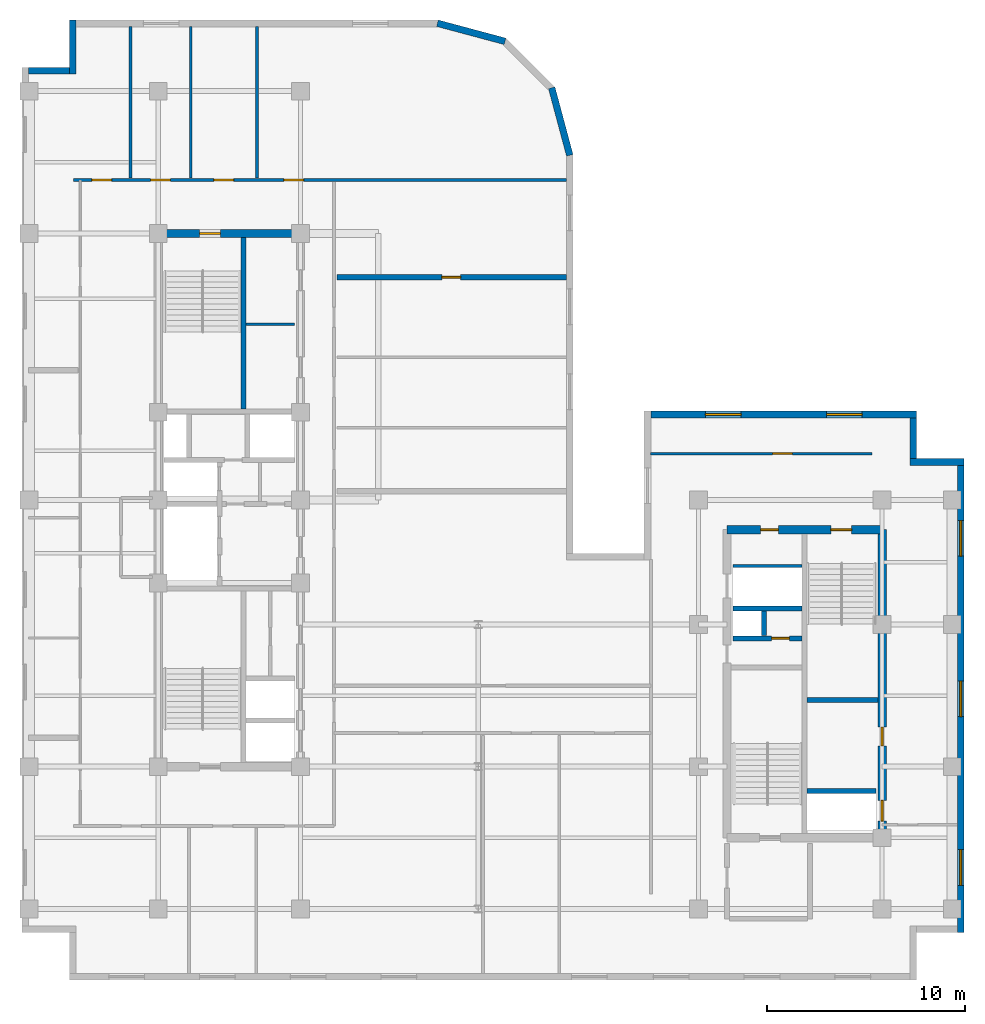
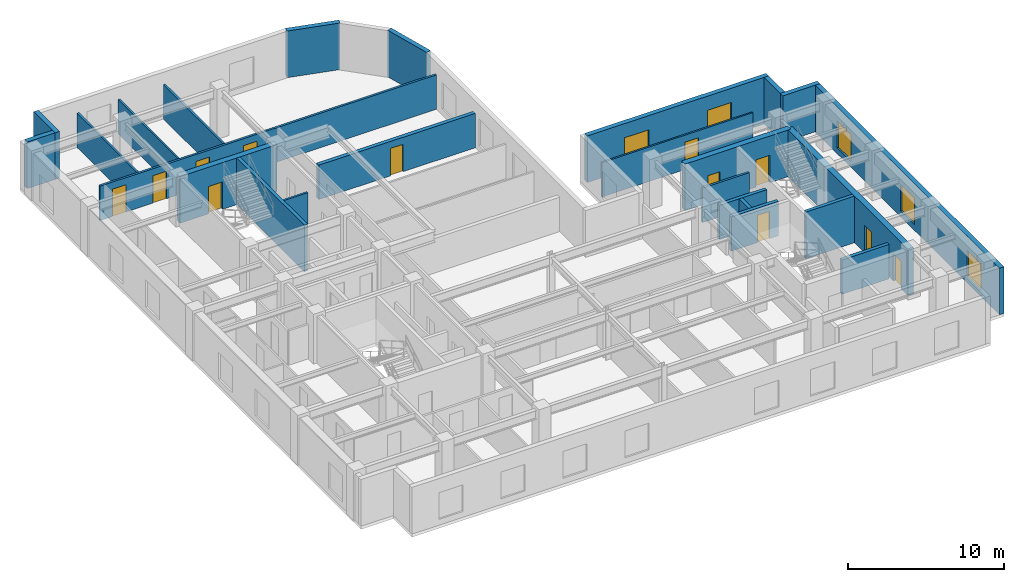
# One storey, part 6 of 10: 25 walls, 12 doors, 5 windows, 17 openings.
"""IFC4 building model written with IfcOpenShell, lengths in metres."""

from ifc_helpers import new_model, entity, si_unit, converted_unit, direction, frame, origin_with_axes, origin_2d_with_axis, place, context, subcontext, project, spatial, polyline, rectangle, outline, extrude, material, layer, layer_set, type_object, element, fill, save


model = new_model("IFC4")

# Units and contexts
model_context = context("Model", 3, precision=1e-05, world=origin_with_axes(), true_north=direction((0.0, 1.0)))
body_context = subcontext(model_context, "Body", "Model", "MODEL_VIEW")
ifc_project = project(units=[si_unit("LENGTHUNIT", "METRE"), si_unit("AREAUNIT", "SQUARE_METRE"), si_unit("VOLUMEUNIT", "CUBIC_METRE"), converted_unit("PLANEANGLEUNIT", "DEGREE", entity("IfcPlaneAngleMeasure", 0.017453292519943295), si_unit("PLANEANGLEUNIT", "RADIAN"), dimensions=[0, 0, 0, 0, 0, 0, 0]), si_unit("MASSUNIT", "GRAM", prefix="KILO"), si_unit("THERMODYNAMICTEMPERATUREUNIT", "KELVIN")], contexts=[model_context])

# Site, building, storey
site_placement = place(None, origin_with_axes())
site = spatial("IfcSite", under=ifc_project, at=site_placement, CompositionType="ELEMENT")
building_placement = place(site_placement, origin_with_axes())
building = spatial("IfcBuilding", under=site, at=building_placement, Name="Varnlund Millrace Tower", CompositionType="ELEMENT")
storey_placement = place(building_placement, frame((0.0, 0.0, 236.4), z_axis=(0.0, 0.0, 1.0), x_axis=(1.0, 0.0, 0.0)))
storey = spatial("IfcBuildingStorey", under=building, at=storey_placement, Name="L58", CompositionType="ELEMENT", Elevation=236.4)

# Wall, opening, door
ifc_material_1 = material(Name="Concrete C60/75", Category="concrete")
ifc_layer_1 = layer(ifc_material_1, 0.42, Name="Concrete C60/75")
ifc_layer_set_1 = layer_set([ifc_layer_1], Name="Concrete C60/75")
wall_type_1 = type_object("IfcWallType", Name="Type-CoreWall-Shear-420-C60", PredefinedType="SHEAR", material=ifc_layer_set_1)
wall_1_placement = place(storey_placement, frame((11.4, 37.8, 0.0), z_axis=(0.0, 0.0, 1.0), x_axis=(1.0, 0.0, 0.0)))
wall_1 = element("IfcWall", 1, at=wall_1_placement, inside=storey, type_object=wall_type_1, Name="Type-CoreWall-Shear-420-C60", PredefinedType="SHEAR", context=body_context, shape_type="SweptSolid", body=[
    extrude(outline(polyline([(0.0, -0.21), (7.2, -0.21), (7.2, 0.21), (0.0, 0.21), (0.0, -0.21)])), origin_with_axes(), (0.0, 0.0, 1.0), 3.66),
])
opening_1_placement = place(wall_1_placement, frame((2.625, 0.0, 0.0), z_axis=(0.0, 0.0, 1.0), x_axis=(1.0, 0.0, 0.0)))
opening_1 = element("IfcOpeningElement", 2, at=opening_1_placement, cuts=wall_1, Name="Opening L58:DR-STA2", PredefinedType="OPENING", context=body_context, shape_type="SweptSolid", body=[
    extrude(rectangle(XDim=1.05, YDim=0.44, at=origin_2d_with_axis()), origin_with_axes(), (0.0, 0.0, 1.0), 2.15),
])
ifc_material_2 = material(Name="Fire-rated hollow steel door", Category="steel")
door_type_1 = type_object("IfcDoorType", Name="Type-FireDoor-Stair-1050X2150", OperationType="NOTDEFINED", PredefinedType="DOOR", material=ifc_material_2)
door_1_placement = place(wall_1_placement, frame((2.625, 0.0, 0.0), z_axis=(0.0, 0.0, 1.0), x_axis=(1.0, 0.0, 0.0)))
door_1 = element("IfcDoor", 3, at=door_1_placement, inside=storey, type_object=door_type_1, Name="Type-FireDoor-Stair-1050X2150", OperationType="SINGLE_SWING_RIGHT", OverallHeight=2.15, OverallWidth=1.05, PredefinedType="DOOR", context=body_context, shape_type="SweptSolid", body=[
    extrude(rectangle(XDim=1.05, YDim=0.09, at=origin_2d_with_axis()), origin_with_axes(), (0.0, 0.0, 1.0), 2.15),
])
fill(opening_1, door_1)

# Wall, openings, doors
wall_2_placement = place(storey_placement, frame((40.2, 22.8, 0.0), z_axis=(0.0, 0.0, 1.0), x_axis=(1.0, 0.0, 0.0)))
wall_2 = element("IfcWall", 4, at=wall_2_placement, inside=storey, type_object=wall_type_1, Name="Type-CoreWall-Shear-420-C60", PredefinedType="SHEAR", context=body_context, shape_type="SweptSolid", body=[
    extrude(outline(polyline([(0.0, -0.21), (7.85, -0.21), (7.85, 0.21), (0.0, 0.21), (0.0, -0.21)])), origin_with_axes(), (0.0, 0.0, 1.0), 3.66),
])
opening_2_placement = place(wall_2_placement, frame((5.775, 0.0, 0.0), z_axis=(0.0, 0.0, 1.0), x_axis=(1.0, 0.0, 0.0)))
opening_2 = element("IfcOpeningElement", 5, at=opening_2_placement, cuts=wall_2, Name="Opening L58:DR-STB2", PredefinedType="OPENING", context=body_context, shape_type="SweptSolid", body=[
    extrude(rectangle(XDim=1.05, YDim=0.44, at=origin_2d_with_axis()), origin_with_axes(), (0.0, 0.0, 1.0), 2.15),
])
opening_3_placement = place(wall_2_placement, frame((2.15, 0.0, 0.0), z_axis=(0.0, 0.0, 1.0), x_axis=(1.0, 0.0, 0.0)))
opening_3 = element("IfcOpeningElement", 6, at=opening_3_placement, cuts=wall_2, Name="Opening L58:DR-CB-NW", PredefinedType="OPENING", context=body_context, shape_type="SweptSolid", body=[
    extrude(rectangle(XDim=0.9, YDim=0.44, at=origin_2d_with_axis()), origin_with_axes(), (0.0, 0.0, 1.0), 2.15),
])
ifc_material_3 = material(Name="Fire-rated hollow steel service closet door", Category="steel")
door_type_2 = type_object("IfcDoorType", Name="Type-FireDoor-Closet-900X2150", OperationType="NOTDEFINED", PredefinedType="DOOR", material=ifc_material_3)
door_2_placement = place(wall_2_placement, frame((2.15, 0.0, 0.0), z_axis=(0.0, 0.0, 1.0), x_axis=(1.0, 0.0, 0.0)))
door_2 = element("IfcDoor", 7, at=door_2_placement, inside=storey, type_object=door_type_2, Name="Type-FireDoor-Closet-900X2150", OperationType="SINGLE_SWING_LEFT", OverallHeight=2.15, OverallWidth=0.9, PredefinedType="DOOR", context=body_context, shape_type="SweptSolid", body=[
    extrude(rectangle(XDim=0.9, YDim=0.09, at=origin_2d_with_axis()), origin_with_axes(), (0.0, 0.0, 1.0), 2.15),
])
fill(opening_3, door_2)
door_3_placement = place(wall_2_placement, frame((5.775, 0.0, 0.0), z_axis=(0.0, 0.0, 1.0), x_axis=(1.0, 0.0, 0.0)))
door_3 = element("IfcDoor", 8, at=door_3_placement, inside=storey, type_object=door_type_1, Name="Type-FireDoor-Stair-1050X2150", OperationType="SINGLE_SWING_RIGHT", OverallHeight=2.15, OverallWidth=1.05, PredefinedType="DOOR", context=body_context, shape_type="SweptSolid", body=[
    extrude(rectangle(XDim=1.05, YDim=0.09, at=origin_2d_with_axis()), origin_with_axes(), (0.0, 0.0, 1.0), 2.15),
])
fill(opening_2, door_3)

wall_3_placement = place(storey_placement, frame((48.05, 7.2, 0.0), z_axis=(0.0, 0.0, 1.0), x_axis=(0.0, 1.0, 0.0)))
wall_3 = element("IfcWall", 9, at=wall_3_placement, inside=storey, type_object=wall_type_1, Name="Type-CoreWall-Shear-420-C60", PredefinedType="SHEAR", context=body_context, shape_type="SweptSolid", body=[
    extrude(outline(polyline([(0.0, -0.21), (15.6, -0.21), (15.6, 0.21), (0.0, 0.21), (0.0, -0.21)])), origin_with_axes(), (0.0, 0.0, 1.0), 3.66),
])
opening_4_placement = place(wall_3_placement, frame((1.375, 0.0, 0.0), z_axis=(0.0, 0.0, 1.0), x_axis=(1.0, 0.0, 0.0)))
opening_4 = element("IfcOpeningElement", 10, at=opening_4_placement, cuts=wall_3, Name="Opening L58:LD-ELV-H3", PredefinedType="OPENING", context=body_context, shape_type="SweptSolid", body=[
    extrude(rectangle(XDim=1.05, YDim=0.44, at=origin_2d_with_axis()), origin_with_axes(), (0.0, 0.0, 1.0), 2.15),
])
opening_5_placement = place(wall_3_placement, frame((5.125, 0.0, 0.0), z_axis=(0.0, 0.0, 1.0), x_axis=(1.0, 0.0, 0.0)))
opening_5 = element("IfcOpeningElement", 11, at=opening_5_placement, cuts=wall_3, Name="Opening L58:DR-CB-WC", PredefinedType="OPENING", context=body_context, shape_type="SweptSolid", body=[
    extrude(rectangle(XDim=0.95, YDim=0.44, at=origin_2d_with_axis()), origin_with_axes(), (0.0, 0.0, 1.0), 2.15),
])
ifc_material_4 = material(Name="Fire-rated hollow steel core service door", Category="steel")
door_type_3 = type_object("IfcDoorType", Name="Type-FireDoor-Service-950X2150", OperationType="NOTDEFINED", PredefinedType="DOOR", material=ifc_material_4)
door_4_placement = place(wall_3_placement, frame((5.125, 0.0, 0.0), z_axis=(0.0, 0.0, 1.0), x_axis=(1.0, 0.0, 0.0)))
door_4 = element("IfcDoor", 12, at=door_4_placement, inside=storey, type_object=door_type_3, Name="Type-FireDoor-Service-950X2150", OperationType="SINGLE_SWING_LEFT", OverallHeight=2.15, OverallWidth=0.95, PredefinedType="DOOR", context=body_context, shape_type="SweptSolid", body=[
    extrude(rectangle(XDim=0.95, YDim=0.09, at=origin_2d_with_axis()), origin_with_axes(), (0.0, 0.0, 1.0), 2.15),
])
fill(opening_5, door_4)
ifc_material_5 = material(Name="Architectural bronze sliding landing door")
door_type_4 = type_object("IfcDoorType", Name="Type-LiftLandingDoor-Compact-1050X2150", OperationType="NOTDEFINED", PredefinedType="DOOR", material=ifc_material_5)
door_5_placement = place(wall_3_placement, frame((1.375, 0.0, 0.0), z_axis=(0.0, 0.0, 1.0), x_axis=(1.0, 0.0, 0.0)))
door_5 = element("IfcDoor", 13, at=door_5_placement, inside=storey, type_object=door_type_4, Name="Type-LiftLandingDoor-Compact-1050X2150", OperationType="SLIDING_TO_LEFT", OverallHeight=2.15, OverallWidth=1.05, PredefinedType="DOOR", context=body_context, shape_type="SweptSolid", body=[
    extrude(rectangle(XDim=1.05, YDim=0.09, at=origin_2d_with_axis()), origin_with_axes(), (0.0, 0.0, 1.0), 2.15),
])
fill(opening_4, door_5)

# Wall, openings, windows
ifc_material_6 = material(Name="Precast concrete C50/60", Category="concrete")
ifc_layer_2 = layer(ifc_material_6, 0.34, Name="Precast concrete C50/60")
ifc_layer_set_2 = layer_set([ifc_layer_2], Name="Precast concrete C50/60")
wall_type_2 = type_object("IfcWallType", Name="Type-ExtWall-Precast-Upper-340", PredefinedType="SOLIDWALL", material=ifc_layer_set_2)
wall_4_placement = place(storey_placement, frame((36.34, 28.63, 0.0), z_axis=(0.0, 0.0, 1.0), x_axis=(1.0, 0.0, 0.0)))
wall_4 = element("IfcWall", 14, at=wall_4_placement, inside=storey, type_object=wall_type_2, Name="Type-ExtWall-Precast-Upper-340", PredefinedType="SOLIDWALL", context=body_context, shape_type="SweptSolid", body=[
    extrude(outline(polyline([(0.0, -0.17), (13.46, -0.17), (13.46, 0.17), (0.0, 0.17), (0.0, -0.17)])), origin_with_axes(), (0.0, 0.0, 1.0), 3.66),
])
opening_6_placement = place(wall_4_placement, frame((3.665, 0.0, 0.45), z_axis=(0.0, 0.0, 1.0), x_axis=(1.0, 0.0, 0.0)))
opening_6 = element("IfcOpeningElement", 15, at=opening_6_placement, cuts=wall_4, Name="Opening L58:WN-02", PredefinedType="OPENING", context=body_context, shape_type="SweptSolid", body=[
    extrude(rectangle(XDim=1.8, YDim=0.36, at=origin_2d_with_axis()), origin_with_axes(), (0.0, 0.0, 1.0), 2.1),
])
opening_7_placement = place(wall_4_placement, frame((9.795, 0.0, 0.45), z_axis=(0.0, 0.0, 1.0), x_axis=(1.0, 0.0, 0.0)))
opening_7 = element("IfcOpeningElement", 16, at=opening_7_placement, cuts=wall_4, Name="Opening L58:WN-03", PredefinedType="OPENING", context=body_context, shape_type="SweptSolid", body=[
    extrude(rectangle(XDim=1.8, YDim=0.36, at=origin_2d_with_axis()), origin_with_axes(), (0.0, 0.0, 1.0), 2.1),
])
ifc_material_7 = material(Name="Argon low-e triple glazing in thermally broken bronze frame", Category="glass")
window_type = type_object("IfcWindowType", Name="Type-Window-Punched-1800X2100", PartitioningType="SINGLE_PANEL", PredefinedType="WINDOW", material=ifc_material_7)
window_1_placement = place(wall_4_placement, frame((3.665, 0.0, 0.45), z_axis=(0.0, 0.0, 1.0), x_axis=(1.0, 0.0, 0.0)))
window_1 = element("IfcWindow", 17, at=window_1_placement, inside=storey, type_object=window_type, Name="Type-Window-Punched-1800X2100", OverallHeight=2.1, OverallWidth=1.8, PredefinedType="WINDOW", context=body_context, shape_type="SweptSolid", body=[
    extrude(rectangle(XDim=1.8, YDim=0.09, at=origin_2d_with_axis()), origin_with_axes(), (0.0, 0.0, 1.0), 2.1),
])
fill(opening_6, window_1)
window_2_placement = place(wall_4_placement, frame((9.795, 0.0, 0.45), z_axis=(0.0, 0.0, 1.0), x_axis=(1.0, 0.0, 0.0)))
window_2 = element("IfcWindow", 18, at=window_2_placement, inside=storey, type_object=window_type, Name="Type-Window-Punched-1800X2100", OverallHeight=2.1, OverallWidth=1.8, PredefinedType="WINDOW", context=body_context, shape_type="SweptSolid", body=[
    extrude(rectangle(XDim=1.8, YDim=0.09, at=origin_2d_with_axis()), origin_with_axes(), (0.0, 0.0, 1.0), 2.1),
])
fill(opening_7, window_2)

# Walls
wall_5_placement = place(storey_placement, frame((49.63, 28.46, 0.0), z_axis=(0.0, 0.0, 1.0), x_axis=(0.0, -1.0, 0.0)))
element("IfcWall", 19, at=wall_5_placement, inside=storey, type_object=wall_type_2, Name="Type-ExtWall-Precast-Upper-340", PredefinedType="SOLIDWALL", context=body_context, shape_type="SweptSolid", body=[
    extrude(outline(polyline([(0.0, -0.17), (2.06, -0.17), (2.06, 0.17), (0.0, 0.17), (0.0, -0.17)])), origin_with_axes(), (0.0, 0.0, 1.0), 3.66),
])
wall_6_placement = place(storey_placement, frame((49.46, 26.23, 0.0), z_axis=(0.0, 0.0, 1.0), x_axis=(1.0, 0.0, 0.0)))
element("IfcWall", 20, at=wall_6_placement, inside=storey, type_object=wall_type_2, Name="Type-ExtWall-Precast-Upper-340", PredefinedType="SOLIDWALL", context=body_context, shape_type="SweptSolid", body=[
    extrude(outline(polyline([(0.0, -0.17), (2.74, -0.17), (2.74, 0.17), (0.0, 0.17), (0.0, -0.17)])), origin_with_axes(), (0.0, 0.0, 1.0), 3.66),
])

# Wall, openings, windows
wall_7_placement = place(storey_placement, frame((52.03, 26.06, 0.0), z_axis=(0.0, 0.0, 1.0), x_axis=(0.0, -1.0, 0.0)))
wall_7 = element("IfcWall", 21, at=wall_7_placement, inside=storey, type_object=wall_type_2, Name="Type-ExtWall-Precast-Upper-340", PredefinedType="SOLIDWALL", context=body_context, shape_type="SweptSolid", body=[
    extrude(outline(polyline([(0.0, -0.17), (23.66, -0.17), (23.66, 0.17), (0.0, 0.17), (0.0, -0.17)])), origin_with_axes(), (0.0, 0.0, 1.0), 3.66),
])
opening_8_placement = place(wall_7_placement, frame((3.696, 0.0, 0.45), z_axis=(0.0, 0.0, 1.0), x_axis=(1.0, 0.0, 0.0)))
opening_8 = element("IfcOpeningElement", 22, at=opening_8_placement, cuts=wall_7, Name="Opening L58:WN-04", PredefinedType="OPENING", context=body_context, shape_type="SweptSolid", body=[
    extrude(rectangle(XDim=1.8, YDim=0.36, at=origin_2d_with_axis()), origin_with_axes(), (0.0, 0.0, 1.0), 2.1),
])
opening_9_placement = place(wall_7_placement, frame((11.83, 0.0, 0.45), z_axis=(0.0, 0.0, 1.0), x_axis=(1.0, 0.0, 0.0)))
opening_9 = element("IfcOpeningElement", 23, at=opening_9_placement, cuts=wall_7, Name="Opening L58:WN-05", PredefinedType="OPENING", context=body_context, shape_type="SweptSolid", body=[
    extrude(rectangle(XDim=1.8, YDim=0.36, at=origin_2d_with_axis()), origin_with_axes(), (0.0, 0.0, 1.0), 2.1),
])
opening_10_placement = place(wall_7_placement, frame((20.364, 0.0, 0.45), z_axis=(0.0, 0.0, 1.0), x_axis=(1.0, 0.0, 0.0)))
opening_10 = element("IfcOpeningElement", 24, at=opening_10_placement, cuts=wall_7, Name="Opening L58:WN-06", PredefinedType="OPENING", context=body_context, shape_type="SweptSolid", body=[
    extrude(rectangle(XDim=1.8, YDim=0.36, at=origin_2d_with_axis()), origin_with_axes(), (0.0, 0.0, 1.0), 2.1),
])
window_3_placement = place(wall_7_placement, frame((3.696, 0.0, 0.45), z_axis=(0.0, 0.0, 1.0), x_axis=(1.0, 0.0, 0.0)))
window_3 = element("IfcWindow", 25, at=window_3_placement, inside=storey, type_object=window_type, Name="Type-Window-Punched-1800X2100", OverallHeight=2.1, OverallWidth=1.8, PredefinedType="WINDOW", context=body_context, shape_type="SweptSolid", body=[
    extrude(rectangle(XDim=1.8, YDim=0.09, at=origin_2d_with_axis()), origin_with_axes(), (0.0, 0.0, 1.0), 2.1),
])
fill(opening_8, window_3)
window_4_placement = place(wall_7_placement, frame((11.83, 0.0, 0.45), z_axis=(0.0, 0.0, 1.0), x_axis=(1.0, 0.0, 0.0)))
window_4 = element("IfcWindow", 26, at=window_4_placement, inside=storey, type_object=window_type, Name="Type-Window-Punched-1800X2100", OverallHeight=2.1, OverallWidth=1.8, PredefinedType="WINDOW", context=body_context, shape_type="SweptSolid", body=[
    extrude(rectangle(XDim=1.8, YDim=0.09, at=origin_2d_with_axis()), origin_with_axes(), (0.0, 0.0, 1.0), 2.1),
])
fill(opening_9, window_4)
window_5_placement = place(wall_7_placement, frame((20.364, 0.0, 0.45), z_axis=(0.0, 0.0, 1.0), x_axis=(1.0, 0.0, 0.0)))
window_5 = element("IfcWindow", 27, at=window_5_placement, inside=storey, type_object=window_type, Name="Type-Window-Punched-1800X2100", OverallHeight=2.1, OverallWidth=1.8, PredefinedType="WINDOW", context=body_context, shape_type="SweptSolid", body=[
    extrude(rectangle(XDim=1.8, YDim=0.09, at=origin_2d_with_axis()), origin_with_axes(), (0.0, 0.0, 1.0), 2.1),
])
fill(opening_10, window_5)

# Walls
wall_8_placement = place(storey_placement, frame((4.84, 46.03, 0.0), z_axis=(0.0, 0.0, 1.0), x_axis=(1.0, 0.0, 0.0)))
element("IfcWall", 28, at=wall_8_placement, inside=storey, type_object=wall_type_2, Name="Type-ExtWall-Precast-Upper-340", PredefinedType="SOLIDWALL", context=body_context, shape_type="SweptSolid", body=[
    extrude(outline(polyline([(0.0, -0.17), (2.06, -0.17), (2.06, 0.17), (0.0, 0.17), (0.0, -0.17)])), origin_with_axes(), (0.0, 0.0, 1.0), 3.66),
])
wall_9_placement = place(storey_placement, frame((7.07, 45.86, 0.0), z_axis=(0.0, 0.0, 1.0), x_axis=(0.0, 1.0, 0.0)))
element("IfcWall", 29, at=wall_9_placement, inside=storey, type_object=wall_type_2, Name="Type-ExtWall-Precast-Upper-340", PredefinedType="SOLIDWALL", context=body_context, shape_type="SweptSolid", body=[
    extrude(outline(polyline([(0.0, -0.17), (2.74, -0.17), (2.74, 0.17), (0.0, 0.17), (0.0, -0.17)])), origin_with_axes(), (0.0, 0.0, 1.0), 3.66),
])
for number, where, z_axis, x_axis, name in (
    (30, (25.537, 48.441, 0.0), (0.0, 0.0, 1.0), (0.965934, -0.258788, 0.0), "Type-ExtWall-Precast-Upper-340"),
    (31, (31.32, 45.175, 0.0), (0.0, 0.0, 1.0), (0.258788, -0.965934, 0.0), "Type-ExtWall-Precast-Upper-340"),
):
    element("IfcWall", number, at=place(storey_placement, frame(where, z_axis=z_axis, x_axis=x_axis)), inside=storey, type_object=wall_type_2, Name=name, PredefinedType="SOLIDWALL", context=body_context, shape_type="SweptSolid", body=[
        extrude(outline(polyline([(0.0, -0.17), (3.539579, -0.17), (3.539579, 0.17), (0.0, 0.17), (0.0, -0.17)])), origin_with_axes(), (0.0, 0.0, 1.0), 3.66),
    ])

# Wall, opening, door
ifc_material_8 = material(Name="Double-stud STC-60 conference acoustic partition", Category="gypsum")
ifc_layer_3 = layer(ifc_material_8, 0.28, Name="Double-stud STC-60 conference acoustic partition")
ifc_layer_set_3 = layer_set([ifc_layer_3], Name="Double-stud STC-60 conference acoustic partition")
wall_type_3 = type_object("IfcWallType", Name="Type-Partition-Acoustic-280", PredefinedType="PARTITIONING", material=ifc_layer_set_3)
wall_10_placement = place(storey_placement, frame((20.45, 35.576, 0.0), z_axis=(0.0, 0.0, 1.0), x_axis=(1.0, 0.0, 0.0)))
wall_10 = element("IfcWall", 32, at=wall_10_placement, inside=storey, type_object=wall_type_3, Name="Type-Partition-Acoustic-280", PredefinedType="PARTITIONING", context=body_context, shape_type="SweptSolid", body=[
    extrude(outline(polyline([(0.0, -0.14), (11.615, -0.14), (11.615, 0.14), (0.0, 0.14), (0.0, -0.14)])), origin_with_axes(), (0.0, 0.0, 1.0), 2.7),
])
opening_11_placement = place(wall_10_placement, frame((5.785, 0.0, 0.0), z_axis=(0.0, 0.0, 1.0), x_axis=(1.0, 0.0, 0.0)))
opening_11 = element("IfcOpeningElement", 33, at=opening_11_placement, cuts=wall_10, Name="Opening L58:DR-FLR-05", PredefinedType="OPENING", context=body_context, shape_type="SweptSolid", body=[
    extrude(rectangle(XDim=0.95, YDim=0.3, at=origin_2d_with_axis()), origin_with_axes(), (0.0, 0.0, 1.0), 2.15),
])
ifc_material_9 = material(Name="Solid-core acoustic office door")
door_type_5 = type_object("IfcDoorType", Name="Type-IntDoor-Tenant-950X2150", OperationType="NOTDEFINED", PredefinedType="DOOR", material=ifc_material_9)
door_6_placement = place(wall_10_placement, frame((5.785, 0.0, 0.0), z_axis=(0.0, 0.0, 1.0), x_axis=(1.0, 0.0, 0.0)))
door_6 = element("IfcDoor", 34, at=door_6_placement, inside=storey, type_object=door_type_5, Name="Type-IntDoor-Tenant-950X2150", OperationType="SINGLE_SWING_LEFT", OverallHeight=2.15, OverallWidth=0.95, PredefinedType="DOOR", context=body_context, shape_type="SweptSolid", body=[
    extrude(rectangle(XDim=0.95, YDim=0.09, at=origin_2d_with_axis()), origin_with_axes(), (0.0, 0.0, 1.0), 2.15),
])
fill(opening_11, door_6)

# Wall
ifc_material_10 = material(Name="Fire-rated gypsum board on cold-formed steel framing", Category="steel")
ifc_layer_4 = layer(ifc_material_10, 0.16, Name="Fire-rated gypsum board on cold-formed steel framing")
ifc_layer_set_4 = layer_set([ifc_layer_4], Name="Fire-rated gypsum board on cold-formed steel framing")
wall_type_4 = type_object("IfcWallType", Name="Type-Partition-Corridor-160", PredefinedType="PARTITIONING", material=ifc_layer_set_4)
wall_11_placement = place(storey_placement, frame((40.5, 20.96, 0.0), z_axis=(0.0, 0.0, 1.0), x_axis=(1.0, 0.0, 0.0)))
element("IfcWall", 35, at=wall_11_placement, inside=storey, type_object=wall_type_4, Name="Type-Partition-Corridor-160", PredefinedType="PARTITIONING", context=body_context, shape_type="SweptSolid", body=[
    extrude(outline(polyline([(0.0, -0.08), (3.5, -0.08), (3.5, 0.08), (0.0, 0.08), (0.0, -0.08)])), origin_with_axes(), (0.0, 0.0, 1.0), 2.7),
])

# Wall, openings, doors
wall_12_placement = place(storey_placement, frame((7.1, 40.5, 0.0), z_axis=(0.0, 0.0, 1.0), x_axis=(1.0, 0.0, 0.0)))
wall_12 = element("IfcWall", 36, at=wall_12_placement, inside=storey, type_object=wall_type_4, Name="Type-Partition-Corridor-160", PredefinedType="PARTITIONING", context=body_context, shape_type="SweptSolid", body=[
    extrude(outline(polyline([(0.0, -0.08), (24.965, -0.08), (24.965, 0.08), (0.0, 0.08), (0.0, -0.08)])), origin_with_axes(), (0.0, 0.0, 1.0), 2.7),
])
opening_12_placement = place(wall_12_placement, frame((1.441, 0.0, 0.0), z_axis=(0.0, 0.0, 1.0), x_axis=(1.0, 0.0, 0.0)))
opening_12 = element("IfcOpeningElement", 37, at=opening_12_placement, cuts=wall_12, Name="Opening L58:DR-WAN-01", PredefinedType="OPENING", context=body_context, shape_type="SweptSolid", body=[
    extrude(rectangle(XDim=1.0, YDim=0.18, at=origin_2d_with_axis()), origin_with_axes(), (0.0, 0.0, 1.0), 2.15),
])
opening_13_placement = place(wall_12_placement, frame((4.4145, 0.0, 0.0), z_axis=(0.0, 0.0, 1.0), x_axis=(1.0, 0.0, 0.0)))
opening_13 = element("IfcOpeningElement", 38, at=opening_13_placement, cuts=wall_12, Name="Opening L58:DR-WAN-02", PredefinedType="OPENING", context=body_context, shape_type="SweptSolid", body=[
    extrude(rectangle(XDim=1.0, YDim=0.18, at=origin_2d_with_axis()), origin_with_axes(), (0.0, 0.0, 1.0), 2.15),
])
opening_14_placement = place(wall_12_placement, frame((7.6145, 0.0, 0.0), z_axis=(0.0, 0.0, 1.0), x_axis=(1.0, 0.0, 0.0)))
opening_14 = element("IfcOpeningElement", 39, at=opening_14_placement, cuts=wall_12, Name="Opening L58:DR-WAN-03", PredefinedType="OPENING", context=body_context, shape_type="SweptSolid", body=[
    extrude(rectangle(XDim=1.0, YDim=0.18, at=origin_2d_with_axis()), origin_with_axes(), (0.0, 0.0, 1.0), 2.15),
])
opening_15_placement = place(wall_12_placement, frame((11.156, 0.0, 0.0), z_axis=(0.0, 0.0, 1.0), x_axis=(1.0, 0.0, 0.0)))
opening_15 = element("IfcOpeningElement", 40, at=opening_15_placement, cuts=wall_12, Name="Opening L58:DR-WAN-04", PredefinedType="OPENING", context=body_context, shape_type="SweptSolid", body=[
    extrude(rectangle(XDim=1.0, YDim=0.18, at=origin_2d_with_axis()), origin_with_axes(), (0.0, 0.0, 1.0), 2.15),
])
ifc_material_11 = material(Name="Solid-core white oak and bronze frame door")
door_type_6 = type_object("IfcDoorType", Name="Type-IntDoor-Office-1000X2150", OperationType="NOTDEFINED", PredefinedType="DOOR", material=ifc_material_11)
door_7_placement = place(wall_12_placement, frame((1.441, 0.0, 0.0), z_axis=(0.0, 0.0, 1.0), x_axis=(1.0, 0.0, 0.0)))
door_7 = element("IfcDoor", 41, at=door_7_placement, inside=storey, type_object=door_type_6, Name="Type-IntDoor-Office-1000X2150", OperationType="SINGLE_SWING_LEFT", OverallHeight=2.15, OverallWidth=1.0, PredefinedType="DOOR", context=body_context, shape_type="SweptSolid", body=[
    extrude(rectangle(XDim=1.0, YDim=0.09, at=origin_2d_with_axis()), origin_with_axes(), (0.0, 0.0, 1.0), 2.15),
])
fill(opening_12, door_7)
door_8_placement = place(wall_12_placement, frame((4.4145, 0.0, 0.0), z_axis=(0.0, 0.0, 1.0), x_axis=(1.0, 0.0, 0.0)))
door_8 = element("IfcDoor", 42, at=door_8_placement, inside=storey, type_object=door_type_6, Name="Type-IntDoor-Office-1000X2150", OperationType="SINGLE_SWING_RIGHT", OverallHeight=2.15, OverallWidth=1.0, PredefinedType="DOOR", context=body_context, shape_type="SweptSolid", body=[
    extrude(rectangle(XDim=1.0, YDim=0.09, at=origin_2d_with_axis()), origin_with_axes(), (0.0, 0.0, 1.0), 2.15),
])
fill(opening_13, door_8)
door_9_placement = place(wall_12_placement, frame((7.6145, 0.0, 0.0), z_axis=(0.0, 0.0, 1.0), x_axis=(1.0, 0.0, 0.0)))
door_9 = element("IfcDoor", 43, at=door_9_placement, inside=storey, type_object=door_type_6, Name="Type-IntDoor-Office-1000X2150", OperationType="SINGLE_SWING_LEFT", OverallHeight=2.15, OverallWidth=1.0, PredefinedType="DOOR", context=body_context, shape_type="SweptSolid", body=[
    extrude(rectangle(XDim=1.0, YDim=0.09, at=origin_2d_with_axis()), origin_with_axes(), (0.0, 0.0, 1.0), 2.15),
])
fill(opening_14, door_9)
door_10_placement = place(wall_12_placement, frame((11.156, 0.0, 0.0), z_axis=(0.0, 0.0, 1.0), x_axis=(1.0, 0.0, 0.0)))
door_10 = element("IfcDoor", 44, at=door_10_placement, inside=storey, type_object=door_type_6, Name="Type-IntDoor-Office-1000X2150", OperationType="SINGLE_SWING_RIGHT", OverallHeight=2.15, OverallWidth=1.0, PredefinedType="DOOR", context=body_context, shape_type="SweptSolid", body=[
    extrude(rectangle(XDim=1.0, YDim=0.09, at=origin_2d_with_axis()), origin_with_axes(), (0.0, 0.0, 1.0), 2.15),
])
fill(opening_15, door_10)

# Walls
ifc_material_12 = material(Name="Acoustic STC-50 gypsum board partition", Category="gypsum")
ifc_layer_5 = layer(ifc_material_12, 0.15, Name="Acoustic STC-50 gypsum board partition")
ifc_layer_set_5 = layer_set([ifc_layer_5], Name="Acoustic STC-50 gypsum board partition")
wall_type_5 = type_object("IfcWallType", Name="Type-Partition-Demising-150", PredefinedType="PARTITIONING", material=ifc_layer_set_5)
for number, where, z_axis, x_axis, name in (
    (45, (9.992, 40.6, 0.0), (0.0, 0.0, 1.0), (0.0, 1.0, 0.0), "Type-Partition-Demising-150"),
    (46, (16.392, 40.6, 0.0), (0.0, 0.0, 1.0), (0.0, 1.0, 0.0), "Type-Partition-Demising-150"),
):
    element("IfcWall", number, at=place(storey_placement, frame(where, z_axis=z_axis, x_axis=x_axis)), inside=storey, type_object=wall_type_5, Name=name, PredefinedType="PARTITIONING", context=body_context, shape_type="SweptSolid", body=[
        extrude(outline(polyline([(0.0, -0.075), (7.665, -0.075), (7.665, 0.075), (0.0, 0.075), (0.0, -0.075)])), origin_with_axes(), (0.0, 0.0, 1.0), 2.7),
    ])
ifc_material_13 = material(Name="Gypsum board tenant partition", Category="gypsum")
ifc_layer_6 = layer(ifc_material_13, 0.125, Name="Gypsum board tenant partition")
ifc_layer_set_6 = layer_set([ifc_layer_6], Name="Gypsum board tenant partition")
wall_type_6 = type_object("IfcWallType", Name="Type-Partition-Tenant-125", PredefinedType="PARTITIONING", material=ifc_layer_set_6)
wall_13_placement = place(storey_placement, frame((13.037, 40.6, 0.0), z_axis=(0.0, 0.0, 1.0), x_axis=(0.0, 1.0, 0.0)))
element("IfcWall", 47, at=wall_13_placement, inside=storey, type_object=wall_type_6, Name="Type-Partition-Tenant-125", PredefinedType="PARTITIONING", context=body_context, shape_type="SweptSolid", body=[
    extrude(outline(polyline([(0.0, -0.0625), (7.665, -0.0625), (7.665, 0.0625), (0.0, 0.0625), (0.0, -0.0625)])), origin_with_axes(), (0.0, 0.0, 1.0), 2.7),
])

# Wall, opening, door
wall_14_placement = place(storey_placement, frame((36.335, 26.65, 0.0), z_axis=(0.0, 0.0, 1.0), x_axis=(1.0, 0.0, 0.0)))
wall_14 = element("IfcWall", 48, at=wall_14_placement, inside=storey, type_object=wall_type_6, Name="Type-Partition-Tenant-125", PredefinedType="PARTITIONING", context=body_context, shape_type="SweptSolid", body=[
    extrude(outline(polyline([(0.0, -0.0625), (11.195, -0.0625), (11.195, 0.0625), (0.0, 0.0625), (0.0, -0.0625)])), origin_with_axes(), (0.0, 0.0, 1.0), 2.7),
])
opening_16_placement = place(wall_14_placement, frame((6.665, 0.0, 0.0), z_axis=(0.0, 0.0, 1.0), x_axis=(1.0, 0.0, 0.0)))
opening_16 = element("IfcOpeningElement", 49, at=opening_16_placement, cuts=wall_14, Name="Opening L58:DR-WBN-01", PredefinedType="OPENING", context=body_context, shape_type="SweptSolid", body=[
    extrude(rectangle(XDim=1.0, YDim=0.145, at=origin_2d_with_axis()), origin_with_axes(), (0.0, 0.0, 1.0), 2.15),
])
door_11_placement = place(wall_14_placement, frame((6.665, 0.0, 0.0), z_axis=(0.0, 0.0, 1.0), x_axis=(1.0, 0.0, 0.0)))
door_11 = element("IfcDoor", 50, at=door_11_placement, inside=storey, type_object=door_type_6, Name="Type-IntDoor-Office-1000X2150", OperationType="SINGLE_SWING_RIGHT", OverallHeight=2.15, OverallWidth=1.0, PredefinedType="DOOR", context=body_context, shape_type="SweptSolid", body=[
    extrude(rectangle(XDim=1.0, YDim=0.075, at=origin_2d_with_axis()), origin_with_axes(), (0.0, 0.0, 1.0), 2.15),
])
fill(opening_16, door_11)

# Wall
ifc_material_14 = material(Name="Moisture-resistant gypsum restroom partition", Category="gypsum")
ifc_layer_7 = layer(ifc_material_14, 0.14, Name="Moisture-resistant gypsum restroom partition")
ifc_layer_set_7 = layer_set([ifc_layer_7], Name="Moisture-resistant gypsum restroom partition")
wall_type_7 = type_object("IfcWallType", Name="Type-Partition-Wet-140", PredefinedType="PARTITIONING", material=ifc_layer_set_7)
wall_15_placement = place(storey_placement, frame((15.84, 33.2, 0.0), z_axis=(0.0, 0.0, 1.0), x_axis=(1.0, 0.0, 0.0)))
element("IfcWall", 51, at=wall_15_placement, inside=storey, type_object=wall_type_7, Name="Type-Partition-Wet-140", PredefinedType="PARTITIONING", context=body_context, shape_type="SweptSolid", body=[
    extrude(outline(polyline([(0.0, -0.07), (2.46, -0.07), (2.46, 0.07), (0.0, 0.07), (0.0, -0.07)])), origin_with_axes(), (0.0, 0.0, 1.0), 2.7),
])

# Wall, opening, door
ifc_layer_8 = layer(ifc_material_1, 0.25, Name="Concrete C60/75")
ifc_layer_set_8 = layer_set([ifc_layer_8], Name="Concrete C60/75")
wall_type_8 = type_object("IfcWallType", Name="Type-ShaftWall-Fire-250", PredefinedType="SOLIDWALL", material=ifc_layer_set_8)
wall_16_placement = place(storey_placement, frame((40.5, 17.3, 0.0), z_axis=(0.0, 0.0, 1.0), x_axis=(1.0, 0.0, 0.0)))
wall_16 = element("IfcWall", 52, at=wall_16_placement, inside=storey, type_object=wall_type_8, Name="Type-ShaftWall-Fire-250", PredefinedType="SOLIDWALL", context=body_context, shape_type="SweptSolid", body=[
    extrude(outline(polyline([(0.0, -0.125), (3.5, -0.125), (3.5, 0.125), (0.0, 0.125), (0.0, -0.125)])), origin_with_axes(), (0.0, 0.0, 1.0), 2.7),
])
opening_17_placement = place(wall_16_placement, frame((2.4, 0.0, 0.0), z_axis=(0.0, 0.0, 1.0), x_axis=(1.0, 0.0, 0.0)))
opening_17 = element("IfcOpeningElement", 53, at=opening_17_placement, cuts=wall_16, Name="Opening L58:DR-CB-ELC", PredefinedType="OPENING", context=body_context, shape_type="SweptSolid", body=[
    extrude(rectangle(XDim=0.9, YDim=0.27, at=origin_2d_with_axis()), origin_with_axes(), (0.0, 0.0, 1.0), 2.15),
])
door_12_placement = place(wall_16_placement, frame((2.4, 0.0, 0.0), z_axis=(0.0, 0.0, 1.0), x_axis=(1.0, 0.0, 0.0)))
door_12 = element("IfcDoor", 54, at=door_12_placement, inside=storey, type_object=door_type_2, Name="Type-FireDoor-Closet-900X2150", OperationType="SINGLE_SWING_LEFT", OverallHeight=2.15, OverallWidth=0.9, PredefinedType="DOOR", context=body_context, shape_type="SweptSolid", body=[
    extrude(rectangle(XDim=0.9, YDim=0.09, at=origin_2d_with_axis()), origin_with_axes(), (0.0, 0.0, 1.0), 2.15),
])
fill(opening_17, door_12)

# Walls
wall_17_placement = place(storey_placement, frame((40.5, 18.8, 0.0), z_axis=(0.0, 0.0, 1.0), x_axis=(1.0, 0.0, 0.0)))
element("IfcWall", 55, at=wall_17_placement, inside=storey, type_object=wall_type_8, Name="Type-ShaftWall-Fire-250", PredefinedType="SOLIDWALL", context=body_context, shape_type="SweptSolid", body=[
    extrude(outline(polyline([(0.0, -0.125), (3.5, -0.125), (3.5, 0.125), (0.0, 0.125), (0.0, -0.125)])), origin_with_axes(), (0.0, 0.0, 1.0), 2.7),
])
wall_18_placement = place(storey_placement, frame((42.075, 17.43, 0.0), z_axis=(0.0, 0.0, 1.0), x_axis=(0.0, 1.0, 0.0)))
element("IfcWall", 56, at=wall_18_placement, inside=storey, type_object=wall_type_8, Name="Type-ShaftWall-Fire-250", PredefinedType="SOLIDWALL", context=body_context, shape_type="SweptSolid", body=[
    extrude(outline(polyline([(0.0, -0.125), (1.24, -0.125), (1.24, 0.125), (0.0, 0.125), (0.0, -0.125)])), origin_with_axes(), (0.0, 0.0, 1.0), 2.7),
])
wall_19_placement = place(storey_placement, frame((44.25, 9.56, 0.0), z_axis=(0.0, 0.0, 1.0), x_axis=(1.0, 0.0, 0.0)))
element("IfcWall", 57, at=wall_19_placement, inside=storey, type_object=wall_type_8, Name="Type-ShaftWall-Fire-250", PredefinedType="SOLIDWALL", context=body_context, shape_type="SweptSolid", body=[
    extrude(outline(polyline([(0.0, -0.125), (3.5, -0.125), (3.5, 0.125), (0.0, 0.125), (0.0, -0.125)])), origin_with_axes(), (0.0, 0.0, 1.0), 2.7),
])
wall_type_9 = type_object("IfcWallType", Name="Type-StairWall-Shear-250", PredefinedType="SHEAR", material=ifc_layer_set_8)
wall_20_placement = place(storey_placement, frame((15.725, 28.9, 0.0), z_axis=(0.0, 0.0, 1.0), x_axis=(0.0, 1.0, 0.0)))
element("IfcWall", 58, at=wall_20_placement, inside=storey, type_object=wall_type_9, Name="Type-StairWall-Shear-250", PredefinedType="SHEAR", context=body_context, shape_type="SweptSolid", body=[
    extrude(outline(polyline([(0.0, -0.125), (8.69, -0.125), (8.69, 0.125), (0.0, 0.125), (0.0, -0.125)])), origin_with_axes(), (0.0, 0.0, 1.0), 3.66),
])
wall_21_placement = place(storey_placement, frame((44.25, 14.175, 0.0), z_axis=(0.0, 0.0, 1.0), x_axis=(1.0, 0.0, 0.0)))
element("IfcWall", 59, at=wall_21_placement, inside=storey, type_object=wall_type_9, Name="Type-StairWall-Shear-250", PredefinedType="SHEAR", context=body_context, shape_type="SweptSolid", body=[
    extrude(outline(polyline([(0.0, -0.125), (3.59, -0.125), (3.59, 0.125), (0.0, 0.125), (0.0, -0.125)])), origin_with_axes(), (0.0, 0.0, 1.0), 3.66),
])

save(model, "model.ifc")
